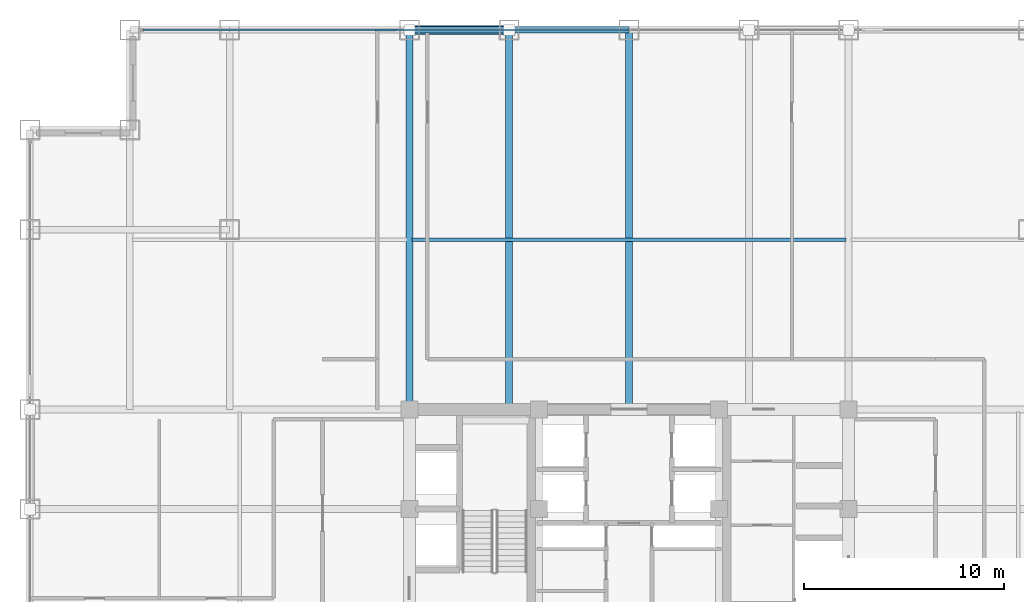
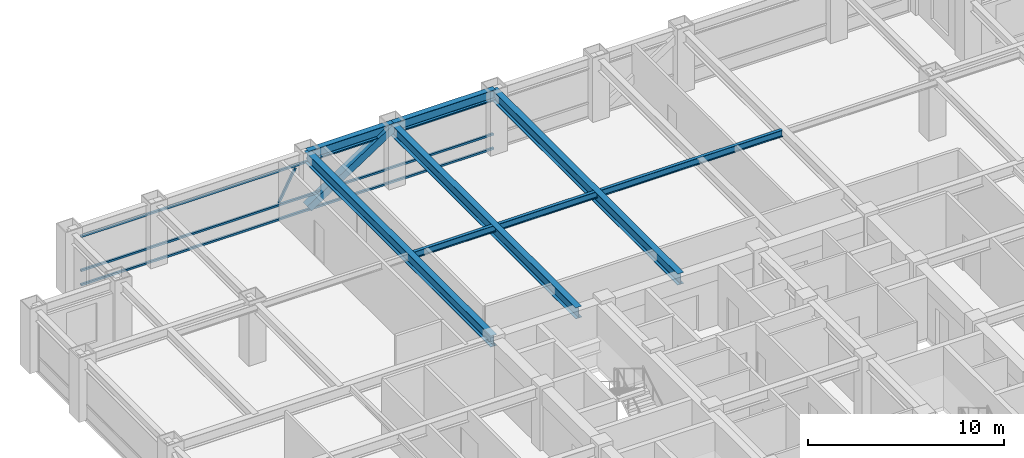
# One storey, part 15 of 24: 6 beams, 5 members, 1 element without a shape of its own.
"""IFC4 building model written with IfcOpenShell, lengths in metres."""

from ifc_helpers import new_model, si_unit, direction, frame, origin, origin_2d, place, context, subcontext, project, spatial, hollow_rectangle, i_section, extrude, source, transform, mapped, material, material_profile, profile_set, type_object, element, aggregate, save


model = new_model("IFC4")

# Units and contexts
model_context = context("Model", 3, precision=1e-05, world=origin(), true_north=direction((0.0, 1.0)))
body_context = subcontext(model_context, "Body", "Model", "MODEL_VIEW")
ifc_project = project(units=[si_unit("LENGTHUNIT", "METRE"), si_unit("AREAUNIT", "SQUARE_METRE"), si_unit("VOLUMEUNIT", "CUBIC_METRE"), si_unit("PLANEANGLEUNIT", "RADIAN"), si_unit("MASSUNIT", "GRAM", prefix="KILO")], contexts=[model_context])

# Site, building, storey
site_placement = place(None, origin())
site = spatial("IfcSite", under=ifc_project, at=site_placement, CompositionType="ELEMENT")
building_placement = place(site_placement, origin())
building = spatial("IfcBuilding", under=site, at=building_placement, Name="Khorayat Bourse Tower", CompositionType="ELEMENT")
storey_placement = place(building_placement, frame((0.0, 0.0, 211.10009765625)))
storey = spatial("IfcBuildingStorey", under=building, at=storey_placement, Name="L49", CompositionType="ELEMENT", Elevation=211.10009765625)

# Beams
ifc_material_1 = material(Name="Steel ASTM A992 Grade 50", Category="steel")
ifc_material_profile_1 = material_profile(ifc_material_1, i_section(OverallWidth=0.180908203125, OverallDepth=0.4169921875, WebThickness=0.010986328125, FlangeThickness=0.018310546875, FilletRadius=0.011962890625, at=origin_2d()), Name="W410X85")
ifc_profile_set_1 = profile_set([ifc_material_profile_1], Name="Steel ASTM A992 Grade 50")
beam_type_1 = type_object("IfcBeamType", Name="BM-JOIST-410", PredefinedType="JOIST", material=ifc_profile_set_1)
shared_shape_1 = source(origin(), body_context, "Body", "SweptSolid", [
    extrude(i_section(OverallWidth=0.180908203125, OverallDepth=0.4169921875, WebThickness=0.010986328125, FlangeThickness=0.018310546875, FilletRadius=0.011962890625, at=origin_2d()), origin(), (0.0, 0.0, 1.0), 21.740234375),
])
beam_1_placement = place(storey_placement, frame((-10.8701171875, 19.5, 3.5712890625), z_axis=(1.0, 0.0, 0.0), x_axis=(0.0, 1.0, 0.0)))
element("IfcBeam", 1, at=beam_1_placement, inside=storey, type_object=beam_type_1, Name="L49 BM-JOIST-410 BM-L49-JSTX-100", PredefinedType="JOIST", context=body_context, shape_type="MappedRepresentation", body=[
    mapped(shared_shape_1, transform((0.0, 0.0, 0.0), scale=1.0)),
])
ifc_material_profile_2 = material_profile(ifc_material_1, i_section(OverallWidth=0.324951171875, OverallDepth=0.615966796875, WebThickness=0.013916015625, FlangeThickness=0.021484375, FilletRadius=0.01611328125, at=origin_2d()), Name="W610X174")
ifc_profile_set_2 = profile_set([ifc_material_profile_2], Name="Steel ASTM A992 Grade 50")
beam_type_2 = type_object("IfcBeamType", Name="BM-SPAN-610", PredefinedType="SPANDREL", material=ifc_profile_set_2)
shared_shape_2 = source(origin(), body_context, "Body", "SweptSolid", [
    extrude(i_section(OverallWidth=0.324951171875, OverallDepth=0.615966796875, WebThickness=0.013916015625, FlangeThickness=0.021484375, FilletRadius=0.01611328125, at=origin_2d()), origin(), (0.0, 0.0, 1.0), 5.0),
])
beam_2_placement = place(storey_placement, frame((-11.0, 30.0, 3.471923828125), z_axis=(1.0, 0.0, 0.0), x_axis=(0.0, 1.0, 0.0)))
element("IfcBeam", 2, at=beam_2_placement, inside=storey, type_object=beam_type_2, Name="L49 BM-SPAN-610 BM-L49-SPN-049", PredefinedType="SPANDREL", context=body_context, shape_type="MappedRepresentation", body=[
    mapped(shared_shape_2, transform((0.0, 0.0, 0.0), scale=1.0)),
])
shared_shape_3 = source(origin(), body_context, "Body", "SweptSolid", [
    extrude(i_section(OverallWidth=0.324951171875, OverallDepth=0.615966796875, WebThickness=0.013916015625, FlangeThickness=0.021484375, FilletRadius=0.01611328125, at=origin_2d()), origin(), (0.0, 0.0, 1.0), 6.0),
])
beam_3_placement = place(storey_placement, frame((-6.0, 30.0, 3.471923828125), z_axis=(1.0, 0.0, 0.0), x_axis=(0.0, 1.0, 0.0)))
element("IfcBeam", 3, at=beam_3_placement, inside=storey, type_object=beam_type_2, Name="L49 BM-SPAN-610 BM-L49-SPN-048", PredefinedType="SPANDREL", context=body_context, shape_type="MappedRepresentation", body=[
    mapped(shared_shape_3, transform((0.0, 0.0, 0.0), scale=1.0)),
])
ifc_material_profile_3 = material_profile(ifc_material_1, i_section(OverallWidth=0.35498046875, OverallDepth=0.695068359375, WebThickness=0.015380859375, FlangeThickness=0.02490234375, FilletRadius=0.01806640625, at=origin_2d()), Name="W690X217")
ifc_profile_set_3 = profile_set([ifc_material_profile_3], Name="Steel ASTM A992 Grade 50")
beam_type_3 = type_object("IfcBeamType", Name="BM-GIRD-690", PredefinedType="BEAM", material=ifc_profile_set_3)
shared_shape_4 = source(origin(), body_context, "Body", "SweptSolid", [
    extrude(i_section(OverallWidth=0.35498046875, OverallDepth=0.695068359375, WebThickness=0.015380859375, FlangeThickness=0.02490234375, FilletRadius=0.01806640625, at=origin_2d()), origin(), (0.0, 0.0, 1.0), 19.0),
])
for number, where, z_axis, x_axis, name in (
    (4, (-11.0, 11.0, 3.432373046875), (0.0, 1.0, 0.0), (-1.0, 0.0, 0.0), "L49 BM-GIRD-690 BM-L49-RADY-064"),
    (5, (-6.0, 11.0, 3.432373046875), (0.0, 1.0, 0.0), (-1.0, 0.0, 0.0), "L49 BM-GIRD-690 BM-L49-RADY-066"),
    (6, (0.0, 11.0, 3.432373046875), (0.0, 1.0, 0.0), (-1.0, 0.0, 0.0), "L49 BM-GIRD-690 BM-L49-RADY-068"),
):
    element("IfcBeam", number, at=place(storey_placement, frame(where, z_axis=z_axis, x_axis=x_axis)), inside=storey, type_object=beam_type_3, Name=name, PredefinedType="BEAM", context=body_context, shape_type="MappedRepresentation", body=[
        mapped(shared_shape_4, transform((0.0, 0.0, 0.0), scale=1.0)),
    ])

# Member
ifc_material_2 = material(Name="Steel EN 10025-4 S460M", Category="steel")
ifc_material_profile_4 = material_profile(ifc_material_2, hollow_rectangle(XDim=0.449951171875, YDim=0.449951171875, WallThickness=0.02490234375, at=origin_2d()), Name="HSS 450x450x25")
ifc_profile_set_4 = profile_set([ifc_material_profile_4], Name="Steel EN 10025-4 S460M")
member_type_1 = type_object("IfcMemberType", Name="MBR-TUBE-450", PredefinedType="BRACE", material=ifc_profile_set_4)
shared_shape_5 = source(origin(), body_context, "Body", "SweptSolid", [
    extrude(hollow_rectangle(XDim=0.449951171875, YDim=0.449951171875, WallThickness=0.02490234375, at=origin_2d()), origin(), (0.0, 0.0, 1.0), 5.979736328125),
])
member_1_placement = place(storey_placement, frame((-11.0, 30.0, 0.25), z_axis=(0.836160261256, 0.0, 0.548485202623), x_axis=(0.0, 1.0, 0.0)))
element("IfcMember", 7, at=member_1_placement, inside=storey, type_object=member_type_1, Name="L49 Perimeter Tube Brace 03", PredefinedType="BRACE", context=body_context, shape_type="MappedRepresentation", body=[
    mapped(shared_shape_5, transform((0.0, 0.0, 0.0), scale=1.0)),
])

# Curtain wall, members
ifc_material_3 = material(Name="Aluminium EN AW-6063 T6", Category="aluminium")
curtain_wall_type = type_object("IfcCurtainWallType", Name="CW-SYS-03", PredefinedType="NOTDEFINED", material=ifc_material_3)
curtain_wall_placement = place(storey_placement, origin())
curtain_wall = element("IfcCurtainWall", 8, at=curtain_wall_placement, inside=storey, type_object=curtain_wall_type, Name="L49 Curtain Wall CW-L49-N1", PredefinedType="NOTDEFINED")
ifc_material_profile_5 = material_profile(ifc_material_3, hollow_rectangle(XDim=0.1201171875, YDim=0.1201171875, WallThickness=0.0048828125, at=origin_2d()), Name="ALU 120x120x5")
ifc_profile_set_5 = profile_set([ifc_material_profile_5], Name="Aluminium EN AW-6063 T6")
member_type_2 = type_object("IfcMemberType", Name="CWM-DIAG-120", PredefinedType="MULLION", material=ifc_profile_set_5)
shared_shape_6 = source(origin(), body_context, "Body", "SweptSolid", [
    extrude(hollow_rectangle(XDim=0.1201171875, YDim=0.1201171875, WallThickness=0.0048828125, at=origin_2d()), origin(), (0.0, 0.0, 1.0), 2.079345703125),
])
member_2_placement = place(storey_placement, frame((-12.67919921875, 30.0, 1.08984375), z_axis=(0.465760949701, 0.0, 0.884910581773), x_axis=(0.0, 1.0, 0.0)))
member_2 = element("IfcMember", 9, at=member_2_placement, type_object=member_type_2, Name="CW-L49-N1 Faceted Diagonal Mullion 1", PredefinedType="MULLION", context=body_context, shape_type="MappedRepresentation", body=[
    mapped(shared_shape_6, transform((0.0, 0.0, 0.0), scale=1.0)),
])
ifc_material_profile_6 = material_profile(ifc_material_3, hollow_rectangle(XDim=0.1201171875, YDim=0.1201171875, WallThickness=0.0048828125, at=origin_2d()), Name="ALU 120x120x5")
ifc_profile_set_6 = profile_set([ifc_material_profile_6], Name="Aluminium EN AW-6063 T6")
member_type_3 = type_object("IfcMemberType", Name="CWT-HORZ-120", PredefinedType="USERDEFINED", material=ifc_profile_set_6)
shared_shape_7 = source(origin(), body_context, "Body", "SweptSolid", [
    extrude(hollow_rectangle(XDim=0.1201171875, YDim=0.1201171875, WallThickness=0.0048828125, at=origin_2d()), origin(), (0.0, 0.0, 1.0), 24.27001953125),
])
member_3_placement = place(storey_placement, frame((-24.330078125, 30.0, 0.059814453125), z_axis=(1.0, 0.0, 0.0), x_axis=(0.0, 1.0, 0.0)))
member_3 = element("IfcMember", 10, at=member_3_placement, type_object=member_type_3, Name="CW-L49-N1 Horizontal Transom 1-1", ObjectType="TRANSOM", PredefinedType="USERDEFINED", context=body_context, shape_type="MappedRepresentation", body=[
    mapped(shared_shape_7, transform((0.0, 0.0, 0.0), scale=1.0)),
])
member_4_placement = place(storey_placement, frame((-24.330078125, 30.0, 0.949951171875), z_axis=(1.0, 0.0, 0.0), x_axis=(0.0, 1.0, 0.0)))
member_4 = element("IfcMember", 11, at=member_4_placement, type_object=member_type_3, Name="CW-L49-N1 Horizontal Transom 1-2", ObjectType="TRANSOM", PredefinedType="USERDEFINED", context=body_context, shape_type="MappedRepresentation", body=[
    mapped(shared_shape_7, transform((0.0, 0.0, 0.0), scale=1.0)),
])
member_5_placement = place(storey_placement, frame((-24.330078125, 30.0, 3.06982421875), z_axis=(1.0, 0.0, 0.0), x_axis=(0.0, 1.0, 0.0)))
member_5 = element("IfcMember", 12, at=member_5_placement, type_object=member_type_3, Name="CW-L49-N1 Horizontal Transom 1-3", ObjectType="TRANSOM", PredefinedType="USERDEFINED", context=body_context, shape_type="MappedRepresentation", body=[
    mapped(shared_shape_7, transform((0.0, 0.0, 0.0), scale=1.0)),
])
aggregate(curtain_wall, [member_3, member_4, member_5, member_2])

save(model, "model.ifc")
